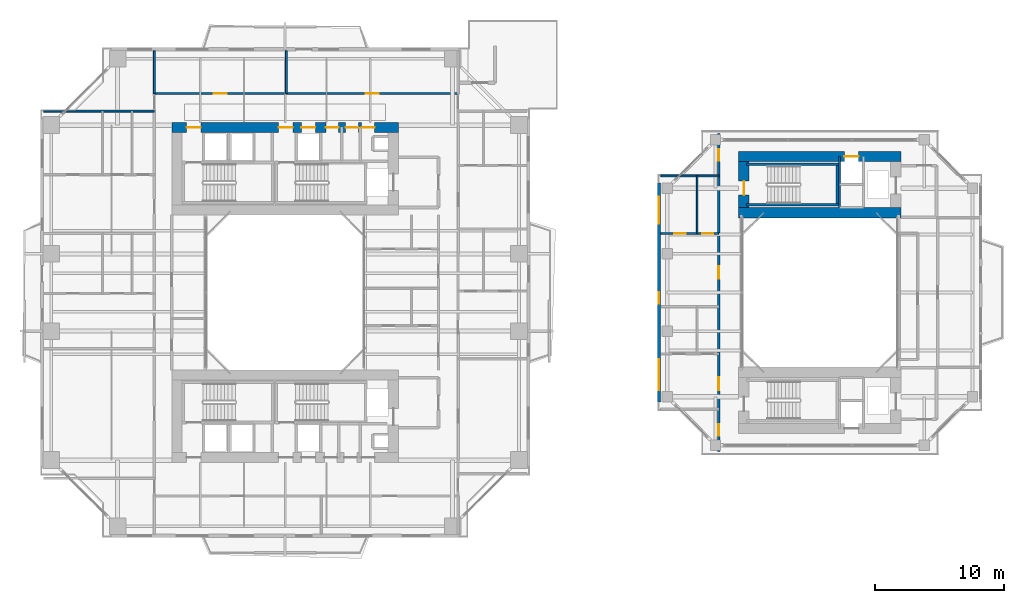
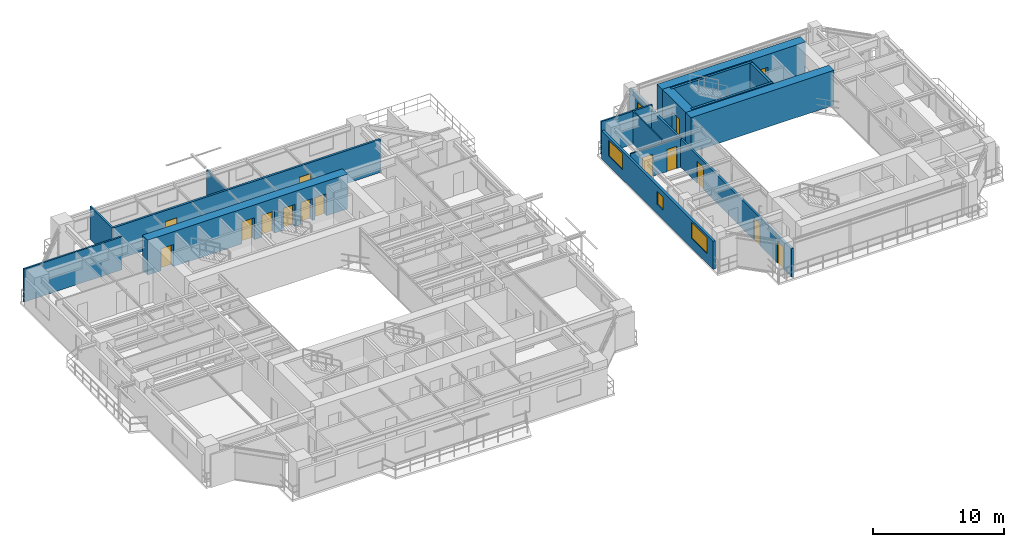
# One storey, part 16 of 23: 17 walls, 16 doors, 3 windows, 19 openings.
"""IFC4 building model written with IfcOpenShell, lengths in metres."""

from ifc_helpers import new_model, si_unit, direction, frame, frame_2d, origin, place, context, subcontext, project, spatial, rectangle, extrude, source, transform, mapped, material, layer, layer_set, type_object, element, fill, save


model = new_model("IFC4")

# Units and contexts
model_context = context("Model", 3, precision=1e-05, world=origin(), true_north=direction((0.0, 1.0)))
body_context = subcontext(model_context, "Body", "Model", "MODEL_VIEW")
ifc_project = project(units=[si_unit("LENGTHUNIT", "METRE"), si_unit("AREAUNIT", "SQUARE_METRE"), si_unit("VOLUMEUNIT", "CUBIC_METRE"), si_unit("PLANEANGLEUNIT", "RADIAN"), si_unit("MASSUNIT", "GRAM", prefix="KILO"), si_unit("THERMODYNAMICTEMPERATUREUNIT", "KELVIN"), si_unit("POWERUNIT", "WATT")], contexts=[model_context])

# Site, building, storey
site_placement = place(None, origin())
site = spatial("IfcSite", under=ifc_project, at=site_placement, CompositionType="ELEMENT")
building_placement = place(site_placement, origin())
building = spatial("IfcBuilding", under=site, at=building_placement, Name="Qiaomeng Ring Towers", CompositionType="ELEMENT")
storey_placement = place(building_placement, frame((0.0, 0.0, 82.75)))
storey = spatial("IfcBuildingStorey", under=building, at=storey_placement, Name="L23", CompositionType="ELEMENT", Elevation=82.75)

# Wall, openings, windows
ifc_material_1 = material(Name="Precast concrete C40", Category="concrete")
ifc_layer_1 = layer(ifc_material_1, 0.219970703125, Name="Precast concrete C40")
ifc_layer_set_1 = layer_set([ifc_layer_1], Name="Precast concrete C40")
wall_type_1 = type_object("IfcWallType", Name="ARC-WL-EW2", PredefinedType="STANDARD", material=ifc_layer_set_1)
wall_1_placement = place(storey_placement, frame((48.010009765625, 14.5, 0.0), z_axis=(0.0, 0.0, 1.0), x_axis=(0.0, 1.0, 0.0)))
wall_1 = element("IfcWall", 1, at=wall_1_placement, inside=storey, type_object=wall_type_1, Name="L23 Companion West Wall", PredefinedType="STANDARD", context=body_context, shape_type="SweptSolid", body=[
    extrude(rectangle(XDim=17.0, YDim=0.219970703125, at=frame_2d((8.5, 0.0))), origin(), (0.0, 0.0, 1.0), 2.610107421875),
])
opening_1_placement = place(wall_1_placement, frame((0.925048828125, 0.0, 0.89990234375)))
opening_1 = element("IfcOpeningElement", 2, at=opening_1_placement, cuts=wall_1, Name="Opening WN6", PredefinedType="OPENING", context=body_context, shape_type="SweptSolid", body=[
    extrude(rectangle(XDim=2.39990234375, YDim=1.47998046875, at=frame_2d((1.199951171875, 0.739990234375))), frame((0.0, 0.119873046875, 0.0), z_axis=(0.0, -1.0, 0.0), x_axis=(1.0, 0.0, 0.0)), (0.0, 0.0, 1.0), 0.239990234375),
])
opening_2_placement = place(wall_1_placement, frame((13.824951171875, 0.0, 0.89990234375)))
opening_2 = element("IfcOpeningElement", 3, at=opening_2_placement, cuts=wall_1, Name="Opening WN4", PredefinedType="OPENING", context=body_context, shape_type="SweptSolid", body=[
    extrude(rectangle(XDim=2.10009765625, YDim=1.47998046875, at=frame_2d((1.050048828125, 0.739990234375))), frame((0.0, 0.119873046875, 0.0), z_axis=(0.0, -1.0, 0.0), x_axis=(1.0, 0.0, 0.0)), (0.0, 0.0, 1.0), 0.239990234375),
])
opening_3_placement = place(wall_1_placement, frame((7.635009765625, 0.0, 0.89990234375)))
opening_3 = element("IfcOpeningElement", 4, at=opening_3_placement, cuts=wall_1, Name="Opening WN5", PredefinedType="OPENING", context=body_context, shape_type="SweptSolid", body=[
    extrude(rectangle(XDim=0.89990234375, YDim=1.199951171875, at=frame_2d((0.449951171875, 0.60009765625))), frame((0.0, 0.119873046875, 0.0), z_axis=(0.0, -1.0, 0.0), x_axis=(1.0, 0.0, 0.0)), (0.0, 0.0, 1.0), 0.239990234375),
])
ifc_material_2 = material(Name="Low-E dark-grey laminated double glazing", Category="glass")
window_type_1 = type_object("IfcWindowType", Name="ARC-WN-4", PartitioningType="TRIPLE_PANEL_VERTICAL", PredefinedType="WINDOW", material=ifc_material_2)
shared_shape_1 = source(origin(), body_context, "Body", "SweptSolid", [
    extrude(rectangle(XDim=2.10009765625, YDim=1.47998046875, at=frame_2d((1.050048828125, 0.739990234375))), frame((0.0, 0.030029296875, 0.0), z_axis=(0.0, -1.0, 0.0), x_axis=(1.0, 0.0, 0.0)), (0.0, 0.0, 1.0), 0.06005859375),
])
window_1_placement = place(opening_2_placement, origin())
window_1 = element("IfcWindow", 5, at=window_1_placement, inside=storey, type_object=window_type_1, Name="L23 Exterior Window WN4", OverallHeight=1.47998046875, OverallWidth=2.10009765625, PartitioningType="TRIPLE_PANEL_VERTICAL", PredefinedType="WINDOW", context=body_context, shape_type="MappedRepresentation", body=[
    mapped(shared_shape_1, transform((0.0, 0.0, 0.0), x_axis=(1.0, 0.0, 0.0), y_axis=(0.0, 1.0, 0.0), z_axis=(0.0, 0.0, 1.0), scale=1.0)),
])
fill(opening_2, window_1)
window_type_2 = type_object("IfcWindowType", Name="ARC-WN-6", PartitioningType="TRIPLE_PANEL_VERTICAL", PredefinedType="WINDOW", material=ifc_material_2)
shared_shape_2 = source(origin(), body_context, "Body", "SweptSolid", [
    extrude(rectangle(XDim=2.39990234375, YDim=1.47998046875, at=frame_2d((1.199951171875, 0.739990234375))), frame((0.0, 0.030029296875, 0.0), z_axis=(0.0, -1.0, 0.0), x_axis=(1.0, 0.0, 0.0)), (0.0, 0.0, 1.0), 0.06005859375),
])
window_2_placement = place(opening_1_placement, origin())
window_2 = element("IfcWindow", 6, at=window_2_placement, inside=storey, type_object=window_type_2, Name="L23 Exterior Window WN6", OverallHeight=1.47998046875, OverallWidth=2.39990234375, PartitioningType="TRIPLE_PANEL_VERTICAL", PredefinedType="WINDOW", context=body_context, shape_type="MappedRepresentation", body=[
    mapped(shared_shape_2, transform((0.0, 0.0, 0.0), x_axis=(1.0, 0.0, 0.0), y_axis=(0.0, 1.0, 0.0), z_axis=(0.0, 0.0, 1.0), scale=1.0)),
])
fill(opening_1, window_2)
window_type_3 = type_object("IfcWindowType", Name="ARC-WN-5", PartitioningType="SINGLE_PANEL", PredefinedType="WINDOW", material=ifc_material_2)
shared_shape_3 = source(origin(), body_context, "Body", "SweptSolid", [
    extrude(rectangle(XDim=0.89990234375, YDim=1.199951171875, at=frame_2d((0.449951171875, 0.60009765625))), frame((0.0, 0.030029296875, 0.0), z_axis=(0.0, -1.0, 0.0), x_axis=(1.0, 0.0, 0.0)), (0.0, 0.0, 1.0), 0.06005859375),
])
window_3_placement = place(opening_3_placement, origin())
window_3 = element("IfcWindow", 7, at=window_3_placement, inside=storey, type_object=window_type_3, Name="L23 Exterior Window WN5", OverallHeight=1.199951171875, OverallWidth=0.89990234375, PartitioningType="SINGLE_PANEL", PredefinedType="WINDOW", context=body_context, shape_type="MappedRepresentation", body=[
    mapped(shared_shape_3, transform((0.0, 0.0, 0.0), x_axis=(1.0, 0.0, 0.0), y_axis=(0.0, 1.0, 0.0), z_axis=(0.0, 0.0, 1.0), scale=1.0)),
])
fill(opening_3, window_3)

# Wall, openings, doors
ifc_material_3 = material(Name="Autoclaved aerated concrete block", Category="concrete")
ifc_layer_2 = layer(ifc_material_3, 0.179931640625, Name="Autoclaved aerated concrete block")
ifc_layer_set_2 = layer_set([ifc_layer_2], Name="Autoclaved aerated concrete block")
wall_type_2 = type_object("IfcWallType", Name="ARC-WL-PW2", PredefinedType="PARTITIONING", material=ifc_layer_set_2)
wall_2_placement = place(storey_placement, frame((8.85009765625, 38.43994140625, 0.0), z_axis=(0.0, 0.0, 1.0), x_axis=(1.0, 0.0, 0.0)))
wall_2 = element("IfcWall", 8, at=wall_2_placement, inside=storey, type_object=wall_type_2, Name="L23 Interior Wall PW2", PredefinedType="PARTITIONING", context=body_context, shape_type="SweptSolid", body=[
    extrude(rectangle(XDim=23.56982421875, YDim=0.179931640625, at=frame_2d((11.784912109375, 0.0))), origin(), (0.0, 0.0, 1.0), 3.070068359375),
])
opening_4_placement = place(wall_2_placement, frame((4.625, 0.0, 0.0)))
opening_4 = element("IfcOpeningElement", 9, at=opening_4_placement, cuts=wall_2, Name="Opening FD4", PredefinedType="OPENING", context=body_context, shape_type="SweptSolid", body=[
    extrude(rectangle(XDim=1.0, YDim=2.050048828125, at=frame_2d((0.5, 1.02490234375))), frame((0.0, 0.099853515625, 0.0), z_axis=(0.0, -1.0, 0.0), x_axis=(1.0, 0.0, 0.0)), (0.0, 0.0, 1.0), 0.199951171875),
])
opening_5_placement = place(wall_2_placement, frame((16.409912109375, 0.0, 0.0)))
opening_5 = element("IfcOpeningElement", 10, at=opening_5_placement, cuts=wall_2, Name="Opening FD4", PredefinedType="OPENING", context=body_context, shape_type="SweptSolid", body=[
    extrude(rectangle(XDim=1.0, YDim=2.050048828125, at=frame_2d((0.5, 1.02490234375))), frame((0.0, 0.099853515625, 0.0), z_axis=(0.0, -1.0, 0.0), x_axis=(1.0, 0.0, 0.0)), (0.0, 0.0, 1.0), 0.199951171875),
])
ifc_material_4 = material(Name="Engineered fire-rated oak timber", Category="wood")
door_type_1 = type_object("IfcDoorType", Name="ARC-DR-FD4", OperationType="NOTDEFINED", PredefinedType="DOOR", material=ifc_material_4)
shared_shape_4 = source(origin(), body_context, "Body", "SweptSolid", [
    extrude(rectangle(XDim=1.0, YDim=2.050048828125, at=frame_2d((0.5, 1.02490234375))), frame((0.0, 0.02490234375, 0.0), z_axis=(0.0, -1.0, 0.0), x_axis=(1.0, 0.0, 0.0)), (0.0, 0.0, 1.0), 0.050048828125),
])
door_1_placement = place(opening_4_placement, origin())
door_1 = element("IfcDoor", 11, at=door_1_placement, inside=storey, type_object=door_type_1, Name="L23 Door FD4", OperationType="SINGLE_SWING_LEFT", OverallHeight=2.050048828125, OverallWidth=1.0, PredefinedType="DOOR", context=body_context, shape_type="MappedRepresentation", body=[
    mapped(shared_shape_4, transform((0.0, 0.0, 0.0), x_axis=(1.0, 0.0, 0.0), y_axis=(0.0, 1.0, 0.0), z_axis=(0.0, 0.0, 1.0), scale=1.0)),
])
fill(opening_4, door_1)
door_2_placement = place(opening_5_placement, origin())
door_2 = element("IfcDoor", 12, at=door_2_placement, inside=storey, type_object=door_type_1, Name="L23 Door FD4", OperationType="SINGLE_SWING_RIGHT", OverallHeight=2.050048828125, OverallWidth=1.0, PredefinedType="DOOR", context=body_context, shape_type="MappedRepresentation", body=[
    mapped(shared_shape_4, transform((0.0, 0.0, 0.0), x_axis=(1.0, 0.0, 0.0), y_axis=(0.0, 1.0, 0.0), z_axis=(0.0, 0.0, 1.0), scale=1.0)),
])
fill(opening_5, door_2)

wall_3_placement = place(storey_placement, frame((52.64990234375, 10.64990234375, 0.0), z_axis=(0.0, 0.0, 1.0), x_axis=(0.0, 1.0, 0.0)))
wall_3 = element("IfcWall", 13, at=wall_3_placement, inside=storey, type_object=wall_type_2, Name="L23 Interior Wall PW2", PredefinedType="PARTITIONING", context=body_context, shape_type="SweptSolid", body=[
    extrude(rectangle(XDim=24.7001953125, YDim=0.179931640625, at=frame_2d((12.35009765625, 0.0))), origin(), (0.0, 0.0, 1.0), 2.614990234375),
])
opening_6_placement = place(wall_3_placement, frame((22.580078125, 0.0, 0.0)))
opening_6 = element("IfcOpeningElement", 14, at=opening_6_placement, cuts=wall_3, Name="Opening ID1", PredefinedType="OPENING", context=body_context, shape_type="SweptSolid", body=[
    extrude(rectangle(XDim=0.89990234375, YDim=2.050048828125, at=frame_2d((0.449951171875, 1.02490234375))), frame((0.0, 0.099853515625, 0.0), z_axis=(0.0, -1.0, 0.0), x_axis=(1.0, 0.0, 0.0)), (0.0, 0.0, 1.0), 0.199951171875),
])
opening_7_placement = place(wall_3_placement, frame((1.219970703125, 0.0, 0.0)))
opening_7 = element("IfcOpeningElement", 15, at=opening_7_placement, cuts=wall_3, Name="Opening ID1", PredefinedType="OPENING", context=body_context, shape_type="SweptSolid", body=[
    extrude(rectangle(XDim=0.89990234375, YDim=2.050048828125, at=frame_2d((0.449951171875, 1.02490234375))), frame((0.0, 0.099853515625, 0.0), z_axis=(0.0, -1.0, 0.0), x_axis=(1.0, 0.0, 0.0)), (0.0, 0.0, 1.0), 0.199951171875),
])
opening_8_placement = place(wall_3_placement, frame((4.7548828125, 0.0, 0.0)))
opening_8 = element("IfcOpeningElement", 16, at=opening_8_placement, cuts=wall_3, Name="Opening FD4", PredefinedType="OPENING", context=body_context, shape_type="SweptSolid", body=[
    extrude(rectangle(XDim=1.0, YDim=2.050048828125, at=frame_2d((0.5, 1.02490234375))), frame((0.0, 0.099853515625, 0.0), z_axis=(0.0, -1.0, 0.0), x_axis=(1.0, 0.0, 0.0)), (0.0, 0.0, 1.0), 0.199951171875),
])
opening_9_placement = place(wall_3_placement, frame((13.39990234375, 0.0, 0.0)))
opening_9 = element("IfcOpeningElement", 17, at=opening_9_placement, cuts=wall_3, Name="Opening FD4", PredefinedType="OPENING", context=body_context, shape_type="SweptSolid", body=[
    extrude(rectangle(XDim=1.0, YDim=2.050048828125, at=frame_2d((0.5, 1.02490234375))), frame((0.0, 0.099853515625, 0.0), z_axis=(0.0, -1.0, 0.0), x_axis=(1.0, 0.0, 0.0)), (0.0, 0.0, 1.0), 0.199951171875),
])
door_3_placement = place(opening_8_placement, origin())
door_3 = element("IfcDoor", 18, at=door_3_placement, inside=storey, type_object=door_type_1, Name="L23 Door FD4", OperationType="SINGLE_SWING_LEFT", OverallHeight=2.050048828125, OverallWidth=1.0, PredefinedType="DOOR", context=body_context, shape_type="MappedRepresentation", body=[
    mapped(shared_shape_4, transform((0.0, 0.0, 0.0), x_axis=(1.0, 0.0, 0.0), y_axis=(0.0, 1.0, 0.0), z_axis=(0.0, 0.0, 1.0), scale=1.0)),
])
fill(opening_8, door_3)
door_4_placement = place(opening_9_placement, origin())
door_4 = element("IfcDoor", 19, at=door_4_placement, inside=storey, type_object=door_type_1, Name="L23 Door FD4", OperationType="SINGLE_SWING_RIGHT", OverallHeight=2.050048828125, OverallWidth=1.0, PredefinedType="DOOR", context=body_context, shape_type="MappedRepresentation", body=[
    mapped(shared_shape_4, transform((0.0, 0.0, 0.0), x_axis=(1.0, 0.0, 0.0), y_axis=(0.0, 1.0, 0.0), z_axis=(0.0, 0.0, 1.0), scale=1.0)),
])
fill(opening_9, door_4)
ifc_material_5 = material(Name="Engineered oak timber", Category="wood")
door_type_2 = type_object("IfcDoorType", Name="ARC-DR-ID1", OperationType="NOTDEFINED", PredefinedType="DOOR", material=ifc_material_5)
shared_shape_5 = source(origin(), body_context, "Body", "SweptSolid", [
    extrude(rectangle(XDim=0.89990234375, YDim=2.050048828125, at=frame_2d((0.449951171875, 1.02490234375))), frame((0.0, 0.02490234375, 0.0), z_axis=(0.0, -1.0, 0.0), x_axis=(1.0, 0.0, 0.0)), (0.0, 0.0, 1.0), 0.050048828125),
])
door_5_placement = place(opening_6_placement, origin())
door_5 = element("IfcDoor", 20, at=door_5_placement, inside=storey, type_object=door_type_2, Name="L23 Door ID1", OperationType="SINGLE_SWING_LEFT", OverallHeight=2.050048828125, OverallWidth=0.89990234375, PredefinedType="DOOR", context=body_context, shape_type="MappedRepresentation", body=[
    mapped(shared_shape_5, transform((0.0, 0.0, 0.0), x_axis=(1.0, 0.0, 0.0), y_axis=(0.0, 1.0, 0.0), z_axis=(0.0, 0.0, 1.0), scale=1.0)),
])
fill(opening_6, door_5)
door_6_placement = place(opening_7_placement, origin())
door_6 = element("IfcDoor", 21, at=door_6_placement, inside=storey, type_object=door_type_2, Name="L23 Door ID1", OperationType="SINGLE_SWING_RIGHT", OverallHeight=2.050048828125, OverallWidth=0.89990234375, PredefinedType="DOOR", context=body_context, shape_type="MappedRepresentation", body=[
    mapped(shared_shape_5, transform((0.0, 0.0, 0.0), x_axis=(1.0, 0.0, 0.0), y_axis=(0.0, 1.0, 0.0), z_axis=(0.0, 0.0, 1.0), scale=1.0)),
])
fill(opening_7, door_6)

# Walls
ifc_material_6 = material(Name="Gypsum fireboard steel-stud partition", Category="steel")
ifc_layer_3 = layer(ifc_material_6, 0.14990234375, Name="Gypsum fireboard steel-stud partition")
ifc_layer_set_3 = layer_set([ifc_layer_3], Name="Gypsum fireboard steel-stud partition")
wall_type_3 = type_object("IfcWallType", Name="ARC-WL-PW3", PredefinedType="PARTITIONING", material=ifc_layer_set_3)
wall_4_placement = place(storey_placement, frame((19.10009765625, 38.43994140625, 0.0), z_axis=(0.0, 0.0, 1.0), x_axis=(0.0, 1.0, 0.0)))
element("IfcWall", 22, at=wall_4_placement, inside=storey, type_object=wall_type_3, Name="L23 Interior Wall PW3", PredefinedType="PARTITIONING", context=body_context, shape_type="SweptSolid", body=[
    extrude(rectangle(XDim=3.31005859375, YDim=0.14990234375, at=frame_2d((1.655029296875, 0.0))), origin(), (0.0, 0.0, 1.0), 2.864990234375),
])
wall_5_placement = place(storey_placement, frame((8.85009765625, 38.43994140625, 0.0), z_axis=(0.0, 0.0, 1.0), x_axis=(0.0, 1.0, 0.0)))
element("IfcWall", 23, at=wall_5_placement, inside=storey, type_object=wall_type_3, Name="L23 Interior Wall PW3", PredefinedType="PARTITIONING", context=body_context, shape_type="SweptSolid", body=[
    extrude(rectangle(XDim=3.31005859375, YDim=0.14990234375, at=frame_2d((1.655029296875, 0.0))), origin(), (0.0, 0.0, 1.0), 3.070068359375),
])
wall_6_placement = place(storey_placement, frame((0.25, 37.080078125, 0.0), z_axis=(0.0, 0.0, 1.0), x_axis=(1.0, 0.0, 0.0)))
element("IfcWall", 24, at=wall_6_placement, inside=storey, type_object=wall_type_3, Name="L23 Interior Wall PW3", PredefinedType="PARTITIONING", context=body_context, shape_type="SweptSolid", body=[
    extrude(rectangle(XDim=8.60009765625, YDim=0.14990234375, at=frame_2d((4.300048828125, 0.0))), origin(), (0.0, 0.0, 1.0), 3.070068359375),
])
wall_7_placement = place(storey_placement, frame((48.14990234375, 32.050048828125, 0.0), z_axis=(0.0, 0.0, 1.0), x_axis=(1.0, 0.0, 0.0)))
element("IfcWall", 25, at=wall_7_placement, inside=storey, type_object=wall_type_3, Name="L23 Interior Wall PW3", PredefinedType="PARTITIONING", context=body_context, shape_type="SweptSolid", body=[
    extrude(rectangle(XDim=4.5, YDim=0.14990234375, at=frame_2d((2.25, 0.0))), origin(), (0.0, 0.0, 1.0), 3.070068359375),
])

# Wall, openings, doors
ifc_material_7 = material(Name="Moisture-resistant gypsum steel-stud partition", Category="steel")
ifc_layer_4 = layer(ifc_material_7, 0.1201171875, Name="Moisture-resistant gypsum steel-stud partition")
ifc_layer_set_4 = layer_set([ifc_layer_4], Name="Moisture-resistant gypsum steel-stud partition")
wall_type_4 = type_object("IfcWallType", Name="ARC-WL-PW4", PredefinedType="PLUMBINGWALL", material=ifc_layer_set_4)
wall_8_placement = place(storey_placement, frame((48.14990234375, 27.580078125, 0.0), z_axis=(0.0, 0.0, 1.0), x_axis=(1.0, 0.0, 0.0)))
wall_8 = element("IfcWall", 26, at=wall_8_placement, inside=storey, type_object=wall_type_4, Name="L23 Interior Wall PW4", PredefinedType="PLUMBINGWALL", context=body_context, shape_type="SweptSolid", body=[
    extrude(rectangle(XDim=4.5, YDim=0.1201171875, at=frame_2d((2.25, 0.0))), origin(), (0.0, 0.0, 1.0), 2.77099609375),
])
opening_10_placement = place(wall_8_placement, frame((1.035888671875, 0.0, 0.0)))
opening_10 = element("IfcOpeningElement", 27, at=opening_10_placement, cuts=wall_8, Name="Opening ID1", PredefinedType="OPENING", context=body_context, shape_type="SweptSolid", body=[
    extrude(rectangle(XDim=0.89990234375, YDim=2.050048828125, at=frame_2d((0.449951171875, 1.02490234375))), frame((0.0, 0.070068359375, 0.0), z_axis=(0.0, -1.0, 0.0), x_axis=(1.0, 0.0, 0.0)), (0.0, 0.0, 1.0), 0.14013671875),
])
opening_11_placement = place(wall_8_placement, frame((3.22998046875, 0.0, 0.0)))
opening_11 = element("IfcOpeningElement", 28, at=opening_11_placement, cuts=wall_8, Name="Opening ID2", PredefinedType="OPENING", context=body_context, shape_type="SweptSolid", body=[
    extrude(rectangle(XDim=0.85009765625, YDim=2.050048828125, at=frame_2d((0.425048828125, 1.02490234375))), frame((0.0, 0.070068359375, 0.0), z_axis=(0.0, -1.0, 0.0), x_axis=(1.0, 0.0, 0.0)), (0.0, 0.0, 1.0), 0.14013671875),
])
ifc_material_8 = material(Name="Moisture-resistant engineered timber", Category="wood")
door_type_3 = type_object("IfcDoorType", Name="ARC-DR-ID2", OperationType="NOTDEFINED", PredefinedType="DOOR", material=ifc_material_8)
shared_shape_6 = source(origin(), body_context, "Body", "SweptSolid", [
    extrude(rectangle(XDim=0.85009765625, YDim=2.050048828125, at=frame_2d((0.425048828125, 1.02490234375))), frame((0.0, 0.02490234375, 0.0), z_axis=(0.0, -1.0, 0.0), x_axis=(1.0, 0.0, 0.0)), (0.0, 0.0, 1.0), 0.050048828125),
])
door_7_placement = place(opening_11_placement, origin())
door_7 = element("IfcDoor", 29, at=door_7_placement, inside=storey, type_object=door_type_3, Name="L23 Door ID2", OperationType="SINGLE_SWING_RIGHT", OverallHeight=2.050048828125, OverallWidth=0.85009765625, PredefinedType="DOOR", context=body_context, shape_type="MappedRepresentation", body=[
    mapped(shared_shape_6, transform((0.0, 0.0, 0.0), x_axis=(1.0, 0.0, 0.0), y_axis=(0.0, 1.0, 0.0), z_axis=(0.0, 0.0, 1.0), scale=1.0)),
])
fill(opening_11, door_7)
door_8_placement = place(opening_10_placement, origin())
door_8 = element("IfcDoor", 30, at=door_8_placement, inside=storey, type_object=door_type_2, Name="L23 Door ID1", OperationType="SINGLE_SWING_LEFT", OverallHeight=2.050048828125, OverallWidth=0.89990234375, PredefinedType="DOOR", context=body_context, shape_type="MappedRepresentation", body=[
    mapped(shared_shape_5, transform((0.0, 0.0, 0.0), x_axis=(1.0, 0.0, 0.0), y_axis=(0.0, 1.0, 0.0), z_axis=(0.0, 0.0, 1.0), scale=1.0)),
])
fill(opening_10, door_8)

# Walls
wall_9_placement = place(storey_placement, frame((50.97998046875, 27.580078125, 0.0), z_axis=(0.0, 0.0, 1.0), x_axis=(0.0, 1.0, 0.0)))
element("IfcWall", 31, at=wall_9_placement, inside=storey, type_object=wall_type_4, Name="L23 Interior Wall PW4", PredefinedType="PLUMBINGWALL", context=body_context, shape_type="SweptSolid", body=[
    extrude(rectangle(XDim=4.469970703125, YDim=0.1201171875, at=frame_2d((2.23486328125, 0.0))), origin(), (0.0, 0.0, 1.0), 3.070068359375),
])
ifc_material_9 = material(Name="Concrete C40", Category="concrete")
ifc_layer_5 = layer(ifc_material_9, 0.199951171875, Name="Concrete C40")
ifc_layer_set_5 = layer_set([ifc_layer_5], Name="Concrete C40")
wall_type_5 = type_object("IfcWallType", Name="STR-WL-STSHAFT", PredefinedType="SHEAR", material=ifc_layer_set_5)
wall_10_placement = place(storey_placement, frame((62.02001953125, 29.60009765625, 0.0), z_axis=(0.0, 0.0, 1.0), x_axis=(0.0, 1.0, 0.0)))
element("IfcWall", 32, at=wall_10_placement, inside=storey, type_object=wall_type_5, Name="L23 Companion Lift Shaft West Wall N", PredefinedType="SHEAR", context=body_context, shape_type="SweptSolid", body=[
    extrude(rectangle(XDim=3.949951171875, YDim=0.179931640625, at=frame_2d((1.97509765625, 0.0))), origin(), (0.0, 0.0, 1.0), 3.070068359375),
])
for number, where, z_axis, x_axis, name in (
    (33, (54.800048828125, 29.800048828125, 0.0), (0.0, 0.0, 1.0), (1.0, 0.0, 0.0), "L23 Stair ST5 South Shaft Shear Wall"),
    (34, (54.800048828125, 32.93994140625, 0.0), (0.0, 0.0, 1.0), (1.0, 0.0, 0.0), "L23 Stair ST5 North Shaft Shear Wall"),
):
    element("IfcWall", number, at=place(storey_placement, frame(where, z_axis=z_axis, x_axis=x_axis)), inside=storey, type_object=wall_type_5, Name=name, PredefinedType="SHEAR", context=body_context, shape_type="SweptSolid", body=[
        extrude(rectangle(XDim=7.14990234375, YDim=0.199951171875, at=frame_2d((3.574951171875, 0.0))), origin(), (0.0, 0.0, 1.0), 3.25),
    ])
wall_11_placement = place(storey_placement, frame((61.85009765625, 29.89990234375, 0.0), z_axis=(0.0, 0.0, 1.0), x_axis=(0.0, 1.0, 0.0)))
element("IfcWall", 35, at=wall_11_placement, inside=storey, type_object=wall_type_5, Name="L23 Stair ST5 East Shaft Shear Wall", PredefinedType="SHEAR", context=body_context, shape_type="SweptSolid", body=[
    extrude(rectangle(XDim=2.940185546875, YDim=0.199951171875, at=frame_2d((1.47021484375, 0.0))), origin(), (0.0, 0.0, 1.0), 3.25),
])

# Wall, openings, doors
ifc_material_10 = material(Name="Concrete C60", Category="concrete")
ifc_layer_6 = layer(ifc_material_10, 0.800048828125, Name="Concrete C60")
ifc_layer_set_6 = layer_set([ifc_layer_6], Name="Concrete C60")
wall_type_6 = type_object("IfcWallType", Name="STR-WL-SW1", PredefinedType="SHEAR", material=ifc_layer_set_6)
wall_12_placement = place(storey_placement, frame((10.199951171875, 35.800048828125, 0.0), z_axis=(0.0, 0.0, 1.0), x_axis=(1.0, 0.0, 0.0)))
wall_12 = element("IfcWall", 36, at=wall_12_placement, inside=storey, type_object=wall_type_6, Name="L23 T1NC north core shear wall", PredefinedType="SHEAR", context=body_context, shape_type="SweptSolid", body=[
    extrude(rectangle(XDim=17.60009765625, YDim=0.800048828125, at=frame_2d((8.800048828125, 0.0))), origin(), (0.0, 0.0, 1.0), 3.25),
])
opening_12_placement = place(wall_12_placement, frame((1.14990234375, 0.0, 0.0)))
opening_12 = element("IfcOpeningElement", 37, at=opening_12_placement, cuts=wall_12, Name="Opening FD3", PredefinedType="OPENING", context=body_context, shape_type="SweptSolid", body=[
    extrude(rectangle(XDim=1.10009765625, YDim=2.050048828125, at=frame_2d((0.550048828125, 1.02490234375))), frame((0.0, 0.409912109375, 0.0), z_axis=(0.0, -1.0, 0.0), x_axis=(1.0, 0.0, 0.0)), (0.0, 0.0, 1.0), 0.820068359375),
])
opening_13_placement = place(wall_12_placement, frame((8.300048828125, 0.0, 0.0)))
opening_13 = element("IfcOpeningElement", 38, at=opening_13_placement, cuts=wall_12, Name="Opening FD3", PredefinedType="OPENING", context=body_context, shape_type="SweptSolid", body=[
    extrude(rectangle(XDim=1.10009765625, YDim=2.050048828125, at=frame_2d((0.550048828125, 1.02490234375))), frame((0.0, 0.409912109375, 0.0), z_axis=(0.0, -1.0, 0.0), x_axis=(1.0, 0.0, 0.0)), (0.0, 0.0, 1.0), 0.820068359375),
])
opening_14_placement = place(wall_12_placement, frame((10.050048828125, 0.0, 0.0)))
opening_14 = element("IfcOpeningElement", 39, at=opening_14_placement, cuts=wall_12, Name="Opening LD1", PredefinedType="OPENING", context=body_context, shape_type="SweptSolid", body=[
    extrude(rectangle(XDim=1.10009765625, YDim=2.050048828125, at=frame_2d((0.550048828125, 1.02490234375))), frame((0.0, 0.409912109375, 0.0), z_axis=(0.0, -1.0, 0.0), x_axis=(1.0, 0.0, 0.0)), (0.0, 0.0, 1.0), 0.820068359375),
])
opening_15_placement = place(wall_12_placement, frame((14.739990234375, 0.0, 0.0)))
opening_15 = element("IfcOpeningElement", 40, at=opening_15_placement, cuts=wall_12, Name="Opening FD1", PredefinedType="OPENING", context=body_context, shape_type="SweptSolid", body=[
    extrude(rectangle(XDim=1.0, YDim=2.050048828125, at=frame_2d((0.5, 1.02490234375))), frame((0.0, 0.409912109375, 0.0), z_axis=(0.0, -1.0, 0.0), x_axis=(1.0, 0.0, 0.0)), (0.0, 0.0, 1.0), 0.820068359375),
])
opening_16_placement = place(wall_12_placement, frame((11.949951171875, 0.0, 0.0)))
opening_16 = element("IfcOpeningElement", 41, at=opening_16_placement, cuts=wall_12, Name="Opening FD1", PredefinedType="OPENING", context=body_context, shape_type="SweptSolid", body=[
    extrude(rectangle(XDim=1.0, YDim=2.050048828125, at=frame_2d((0.5, 1.02490234375))), frame((0.0, 0.409912109375, 0.0), z_axis=(0.0, -1.0, 0.0), x_axis=(1.0, 0.0, 0.0)), (0.0, 0.0, 1.0), 0.820068359375),
])
opening_17_placement = place(wall_12_placement, frame((13.485107421875, 0.0, 0.0)))
opening_17 = element("IfcOpeningElement", 42, at=opening_17_placement, cuts=wall_12, Name="Opening FD1", PredefinedType="OPENING", context=body_context, shape_type="SweptSolid", body=[
    extrude(rectangle(XDim=1.0, YDim=2.050048828125, at=frame_2d((0.5, 1.02490234375))), frame((0.0, 0.409912109375, 0.0), z_axis=(0.0, -1.0, 0.0), x_axis=(1.0, 0.0, 0.0)), (0.0, 0.0, 1.0), 0.820068359375),
])
ifc_material_11 = material(Name="Galvanised steel", Category="steel")
door_type_4 = type_object("IfcDoorType", Name="ARC-DR-FD3", OperationType="NOTDEFINED", PredefinedType="DOOR", material=ifc_material_11)
shared_shape_7 = source(origin(), body_context, "Body", "SweptSolid", [
    extrude(rectangle(XDim=1.10009765625, YDim=2.050048828125, at=frame_2d((0.550048828125, 1.02490234375))), frame((0.0, 0.02490234375, 0.0), z_axis=(0.0, -1.0, 0.0), x_axis=(1.0, 0.0, 0.0)), (0.0, 0.0, 1.0), 0.050048828125),
])
door_9_placement = place(opening_12_placement, origin())
door_9 = element("IfcDoor", 43, at=door_9_placement, inside=storey, type_object=door_type_4, Name="L23 Stair ST1 Lobby Door", OperationType="SINGLE_SWING_LEFT", OverallHeight=2.050048828125, OverallWidth=1.10009765625, PredefinedType="DOOR", context=body_context, shape_type="MappedRepresentation", body=[
    mapped(shared_shape_7, transform((0.0, 0.0, 0.0), x_axis=(1.0, 0.0, 0.0), y_axis=(0.0, 1.0, 0.0), z_axis=(0.0, 0.0, 1.0), scale=1.0)),
])
fill(opening_12, door_9)
door_10_placement = place(opening_13_placement, origin())
door_10 = element("IfcDoor", 44, at=door_10_placement, inside=storey, type_object=door_type_4, Name="L23 Stair ST2 Lobby Door", OperationType="SINGLE_SWING_LEFT", OverallHeight=2.050048828125, OverallWidth=1.10009765625, PredefinedType="DOOR", context=body_context, shape_type="MappedRepresentation", body=[
    mapped(shared_shape_7, transform((0.0, 0.0, 0.0), x_axis=(1.0, 0.0, 0.0), y_axis=(0.0, 1.0, 0.0), z_axis=(0.0, 0.0, 1.0), scale=1.0)),
])
fill(opening_13, door_10)
ifc_material_12 = material(Name="Stainless steel 316", Category="steel")
door_type_5 = type_object("IfcDoorType", Name="ARC-DR-LD1", OperationType="NOTDEFINED", PredefinedType="DOOR", material=ifc_material_12)
door_11_placement = place(opening_14_placement, origin())
door_11 = element("IfcDoor", 45, at=door_11_placement, inside=storey, type_object=door_type_5, Name="L23 Low-Zone Lift LP1 Landing Door", OperationType="SLIDING_TO_LEFT", OverallHeight=2.050048828125, OverallWidth=1.10009765625, PredefinedType="DOOR", context=body_context, shape_type="MappedRepresentation", body=[
    mapped(shared_shape_7, transform((0.0, 0.0, 0.0), x_axis=(1.0, 0.0, 0.0), y_axis=(0.0, 1.0, 0.0), z_axis=(0.0, 0.0, 1.0), scale=1.0)),
])
fill(opening_14, door_11)
door_type_6 = type_object("IfcDoorType", Name="ARC-DR-FD1", OperationType="NOTDEFINED", PredefinedType="DOOR", material=ifc_material_11)
door_12_placement = place(opening_15_placement, origin())
door_12 = element("IfcDoor", 46, at=door_12_placement, inside=storey, type_object=door_type_6, Name="L23 North Electrical Riser Door", OperationType="SINGLE_SWING_LEFT", OverallHeight=2.050048828125, OverallWidth=1.0, PredefinedType="DOOR", context=body_context, shape_type="MappedRepresentation", body=[
    mapped(shared_shape_4, transform((0.0, 0.0, 0.0), x_axis=(1.0, 0.0, 0.0), y_axis=(0.0, 1.0, 0.0), z_axis=(0.0, 0.0, 1.0), scale=1.0)),
])
fill(opening_15, door_12)
door_13_placement = place(opening_16_placement, origin())
door_13 = element("IfcDoor", 47, at=door_13_placement, inside=storey, type_object=door_type_6, Name="L23 North Tea Pantry Door", OperationType="SINGLE_SWING_LEFT", OverallHeight=2.050048828125, OverallWidth=1.0, PredefinedType="DOOR", context=body_context, shape_type="MappedRepresentation", body=[
    mapped(shared_shape_4, transform((0.0, 0.0, 0.0), x_axis=(1.0, 0.0, 0.0), y_axis=(0.0, 1.0, 0.0), z_axis=(0.0, 0.0, 1.0), scale=1.0)),
])
fill(opening_16, door_13)
door_14_placement = place(opening_17_placement, origin())
door_14 = element("IfcDoor", 48, at=door_14_placement, inside=storey, type_object=door_type_6, Name="L23 North Cleaners Cupboard Door", OperationType="SINGLE_SWING_RIGHT", OverallHeight=2.050048828125, OverallWidth=1.0, PredefinedType="DOOR", context=body_context, shape_type="MappedRepresentation", body=[
    mapped(shared_shape_4, transform((0.0, 0.0, 0.0), x_axis=(1.0, 0.0, 0.0), y_axis=(0.0, 1.0, 0.0), z_axis=(0.0, 0.0, 1.0), scale=1.0)),
])
fill(opening_17, door_14)

# Wall
wall_13_placement = place(storey_placement, frame((54.199951171875, 29.199951171875, 0.0), z_axis=(0.0, 0.0, 1.0), x_axis=(1.0, 0.0, 0.0)))
element("IfcWall", 49, at=wall_13_placement, inside=storey, type_object=wall_type_6, Name="L23 T2NC south core shear wall", PredefinedType="SHEAR", context=body_context, shape_type="SweptSolid", body=[
    extrude(rectangle(XDim=12.60009765625, YDim=0.800048828125, at=frame_2d((6.300048828125, 0.0))), origin(), (0.0, 0.0, 1.0), 3.25),
])

# Wall, opening, door
wall_14_placement = place(storey_placement, frame((54.199951171875, 33.550048828125, 0.0), z_axis=(0.0, 0.0, 1.0), x_axis=(1.0, 0.0, 0.0)))
wall_14 = element("IfcWall", 50, at=wall_14_placement, inside=storey, type_object=wall_type_6, Name="L23 T2NC north core shear wall", PredefinedType="SHEAR", context=body_context, shape_type="SweptSolid", body=[
    extrude(rectangle(XDim=12.60009765625, YDim=0.800048828125, at=frame_2d((6.300048828125, 0.0))), origin(), (0.0, 0.0, 1.0), 3.25),
])
opening_18_placement = place(wall_14_placement, frame((8.199951171875, 0.0, 0.0)))
opening_18 = element("IfcOpeningElement", 51, at=opening_18_placement, cuts=wall_14, Name="Opening LD1", PredefinedType="OPENING", context=body_context, shape_type="SweptSolid", body=[
    extrude(rectangle(XDim=1.10009765625, YDim=2.050048828125, at=frame_2d((0.550048828125, 1.02490234375))), frame((0.0, 0.409912109375, 0.0), z_axis=(0.0, -1.0, 0.0), x_axis=(1.0, 0.0, 0.0)), (0.0, 0.0, 1.0), 0.820068359375),
])
door_15_placement = place(opening_18_placement, origin())
door_15 = element("IfcDoor", 52, at=door_15_placement, inside=storey, type_object=door_type_5, Name="L23 Companion Lift LP7 Landing Door", OperationType="SLIDING_TO_LEFT", OverallHeight=2.050048828125, OverallWidth=1.10009765625, PredefinedType="DOOR", context=body_context, shape_type="MappedRepresentation", body=[
    mapped(shared_shape_7, transform((0.0, 0.0, 0.0), x_axis=(1.0, 0.0, 0.0), y_axis=(0.0, 1.0, 0.0), z_axis=(0.0, 0.0, 1.0), scale=1.0)),
])
fill(opening_18, door_15)

wall_15_placement = place(storey_placement, frame((54.60009765625, 29.60009765625, 0.0), z_axis=(0.0, 0.0, 1.0), x_axis=(0.0, 1.0, 0.0)))
wall_15 = element("IfcWall", 53, at=wall_15_placement, inside=storey, type_object=wall_type_6, Name="L23 T2NC west core shear wall", PredefinedType="SHEAR", context=body_context, shape_type="SweptSolid", body=[
    extrude(rectangle(XDim=3.5498046875, YDim=0.800048828125, at=frame_2d((1.77490234375, 0.0))), origin(), (0.0, 0.0, 1.0), 3.25),
])
opening_19_placement = place(wall_15_placement, frame((0.949951171875, 0.0, 0.0)))
opening_19 = element("IfcOpeningElement", 54, at=opening_19_placement, cuts=wall_15, Name="Opening FD3", PredefinedType="OPENING", context=body_context, shape_type="SweptSolid", body=[
    extrude(rectangle(XDim=1.10009765625, YDim=2.050048828125, at=frame_2d((0.550048828125, 1.02490234375))), frame((0.0, 0.409912109375, 0.0), z_axis=(0.0, -1.0, 0.0), x_axis=(1.0, 0.0, 0.0)), (0.0, 0.0, 1.0), 0.820068359375),
])
door_16_placement = place(opening_19_placement, origin())
door_16 = element("IfcDoor", 55, at=door_16_placement, inside=storey, type_object=door_type_4, Name="L23 Stair ST5 Exit Door", OperationType="SINGLE_SWING_RIGHT", OverallHeight=2.050048828125, OverallWidth=1.10009765625, PredefinedType="DOOR", context=body_context, shape_type="MappedRepresentation", body=[
    mapped(shared_shape_7, transform((0.0, 0.0, 0.0), x_axis=(1.0, 0.0, 0.0), y_axis=(0.0, 1.0, 0.0), z_axis=(0.0, 0.0, 1.0), scale=1.0)),
])
fill(opening_19, door_16)

save(model, "model.ifc")
